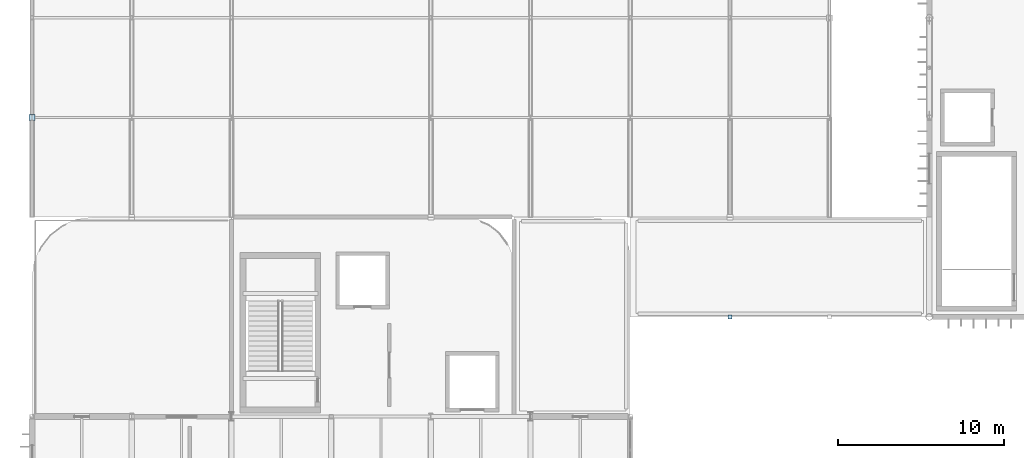
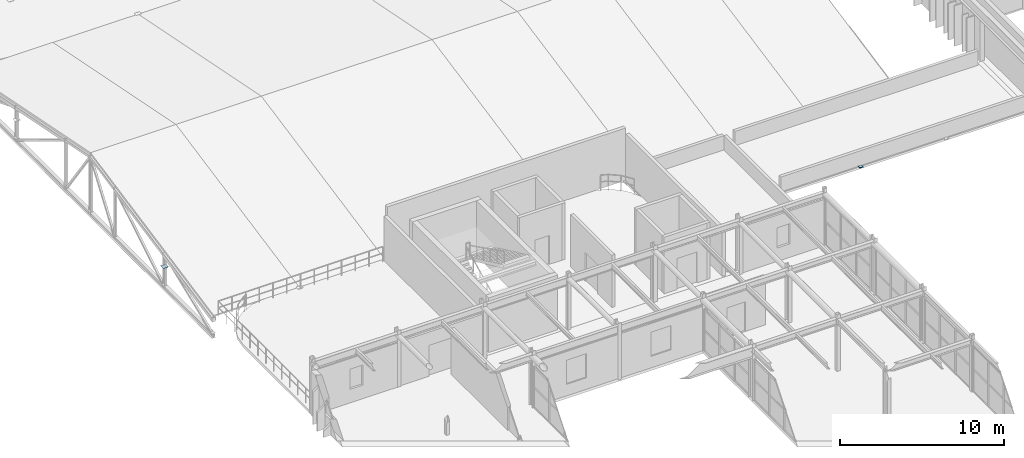
# One storey, part 54 of 83: 2 plates.
"""IFC4 building model written with IfcOpenShell, lengths in metres."""

from ifc_helpers import new_model, si_unit, direction, frame, origin, origin_2d, place, context, subcontext, project, spatial, rectangle, extrude, material, layer, layer_set, type_object, element, save


model = new_model("IFC4")

# Units and contexts
model_context = context("Model", 3, precision=1e-05, world=origin(), true_north=direction((0.0, 1.0)))
body_context = subcontext(model_context, "Body", "Model", "MODEL_VIEW")
ifc_project = project(units=[si_unit("LENGTHUNIT", "METRE"), si_unit("AREAUNIT", "SQUARE_METRE"), si_unit("VOLUMEUNIT", "CUBIC_METRE"), si_unit("PLANEANGLEUNIT", "RADIAN"), si_unit("MASSUNIT", "GRAM", prefix="KILO")], contexts=[model_context])

# Site, building, storey
site_placement = place(None, origin())
site = spatial("IfcSite", under=ifc_project, at=site_placement, CompositionType="ELEMENT")
building_placement = place(site_placement, origin())
building = spatial("IfcBuilding", under=site, at=building_placement, Name="Varnakota Square Police Headquarters", CompositionType="ELEMENT")
storey_placement = place(building_placement, frame((0.0, 0.0, 18.0)))
storey = spatial("IfcBuildingStorey", under=building, at=storey_placement, Name="L04", CompositionType="ELEMENT", Elevation=18.0)

# Plates
ifc_material = material(Name="Steel IS 2062 Grade 350", Category="steel")
ifc_layer_1 = layer(ifc_material, 0.01611328125, Name="Steel IS 2062 Grade 350")
ifc_layer_set_1 = layer_set([ifc_layer_1], Name="Steel IS 2062 Grade 350")
plate_type_1 = type_object("IfcPlateType", Name="PL-CAP-16", PredefinedType="SHEET", material=ifc_layer_set_1)
plate_1_placement = place(storey_placement, frame((48.0, 69.0, -0.001953125), z_axis=(0.0, 0.0, 1.0), x_axis=(1.0, 0.0, 0.0)))
element("IfcPlate", 1, at=plate_1_placement, inside=storey, type_object=plate_type_1, Name="Hollow column top cap plate CP-COL-X0480-Y0690", PredefinedType="SHEET", context=body_context, shape_type="SweptSolid", body=[
    extrude(rectangle(XDim=0.2490234375, YDim=0.2490234375, at=origin_2d()), origin(), (0.0, 0.0, 1.0), 0.01611328125),
])
ifc_layer_2 = layer(ifc_material, 0.02001953125, Name="Steel IS 2062 Grade 350")
ifc_layer_set_2 = layer_set([ifc_layer_2], Name="Steel IS 2062 Grade 350")
plate_type_2 = type_object("IfcPlateType", Name="PL-CAP-20", PredefinedType="SHEET", material=ifc_layer_set_2)
plate_2_placement = place(storey_placement, frame((6.0, 81.0, -0.001953125), z_axis=(0.0, 0.0, 1.0), x_axis=(1.0, 0.0, 0.0)))
element("IfcPlate", 2, at=plate_2_placement, inside=storey, type_object=plate_type_2, Name="Hollow column top cap plate CP-COL-X0060-Y0810", PredefinedType="SHEET", context=body_context, shape_type="SweptSolid", body=[
    extrude(rectangle(XDim=0.35400390625, YDim=0.35400390625, at=origin_2d()), origin(), (0.0, 0.0, 1.0), 0.02001953125),
])

save(model, "model.ifc")
